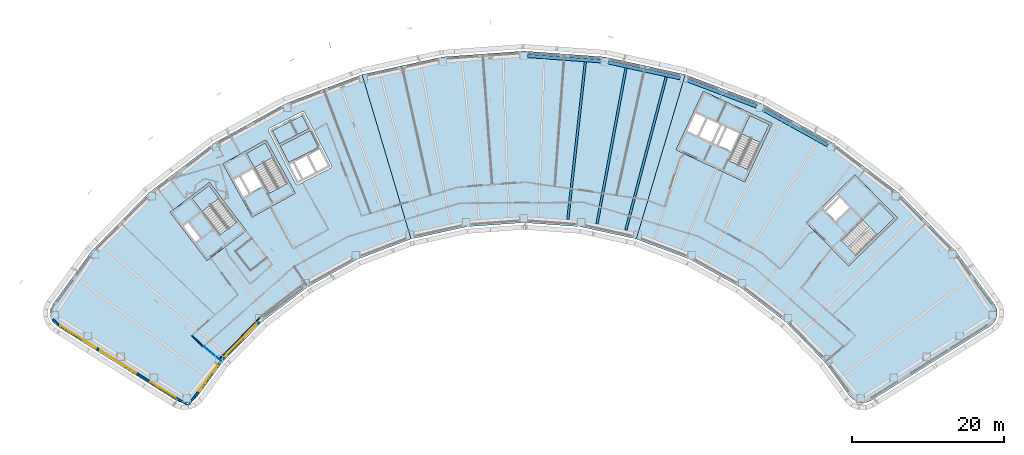
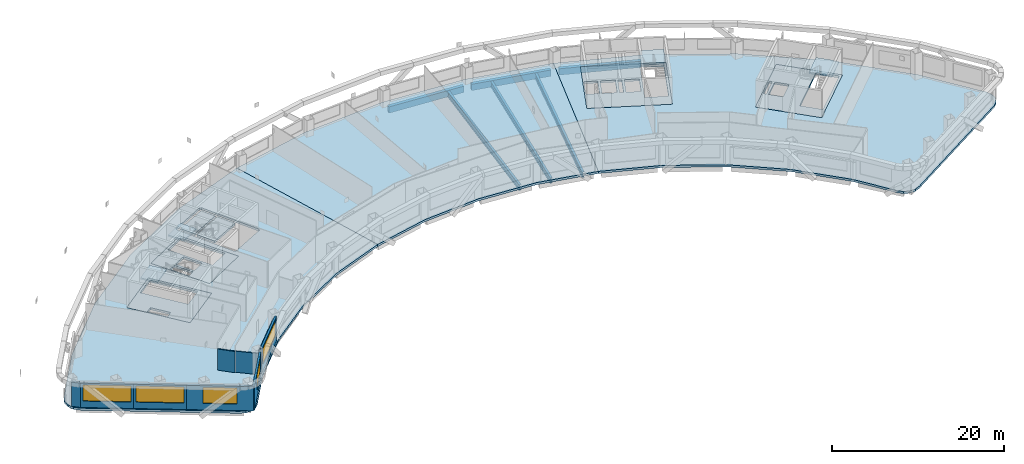
# One storey, part 2 of 19: 13 slabs, 9 walls, 7 beams, 5 windows, 5 openings, 4 elements without a shape of their own.
"""IFC4 building model written with IfcOpenShell, lengths in metres."""

from ifc_helpers import new_model, si_unit, direction, frame, frame_2d, origin, origin_2d, place, context, subcontext, project, spatial, polyline, rectangle, hollow_rectangle, i_section, outline, extrude, material, layer, layer_set, material_profile, profile_set, type_object, element, fill, aggregate, save


model = new_model("IFC4")

# Units and contexts
model_context = context("Model", 3, precision=1e-05, world=origin(), true_north=direction((0.0, 1.0)))
body_context = subcontext(model_context, "Body", "Model", "MODEL_VIEW")
ifc_project = project(units=[si_unit("LENGTHUNIT", "METRE"), si_unit("AREAUNIT", "SQUARE_METRE"), si_unit("VOLUMEUNIT", "CUBIC_METRE"), si_unit("PLANEANGLEUNIT", "RADIAN"), si_unit("MASSUNIT", "GRAM", prefix="KILO")], contexts=[model_context])

# Site, building, storey
site_placement = place(None, origin())
site = spatial("IfcSite", under=ifc_project, at=site_placement, CompositionType="ELEMENT")
building_placement = place(site_placement, origin())
building = spatial("IfcBuilding", under=site, at=building_placement, Name="Tuul Gate Civic Tower", CompositionType="ELEMENT")
storey_placement = place(building_placement, frame((0.0, 0.0, 163.39990234375)))
storey = spatial("IfcBuildingStorey", under=building, at=storey_placement, Name="Level 37", CompositionType="ELEMENT", Elevation=163.39990234375)

# Beams
ifc_material_1 = material(Name="Steel S355", Category="steel")
ifc_material_profile_1 = material_profile(ifc_material_1, i_section(OverallWidth=0.300048828125, OverallDepth=0.800048828125, WebThickness=0.013916015625, FlangeThickness=0.02490234375, at=origin_2d()), Name="PG800x300x14x25")
ifc_profile_set_1 = profile_set([ifc_material_profile_1], Name="Steel S355")
beam_type_1 = type_object("IfcBeamType", Name="STR-FLOOR BEAM-PG800x300x14x25", PredefinedType="BEAM", material=ifc_profile_set_1)
beam_1_placement = place(storey_placement, frame((18.8125, -13.7099609375, -0.699951171875), z_axis=(0.255004720301, 0.96693980817, 0.0), x_axis=(-0.96693980817, 0.255004720301, 0.0)))
element("IfcBeam", 1, at=beam_1_placement, inside=storey, type_object=beam_type_1, Name="Floor beam", PredefinedType="BEAM", context=body_context, shape_type="SweptSolid", body=[
    extrude(i_section(OverallWidth=0.300048828125, OverallDepth=0.800048828125, WebThickness=0.013916015625, FlangeThickness=0.02490234375, at=origin_2d()), origin(), (0.0, 0.0, 1.0), 20.817626953125),
])
beam_2_placement = place(storey_placement, frame((15.0224609375, -12.874755859375, -0.699951171875), z_axis=(0.183147342328, 0.98308547492, 0.0), x_axis=(-0.98308547492, 0.183147342328, 0.0)))
element("IfcBeam", 2, at=beam_2_placement, inside=storey, type_object=beam_type_1, Name="Floor beam", PredefinedType="BEAM", context=body_context, shape_type="SweptSolid", body=[
    extrude(i_section(OverallWidth=0.300048828125, OverallDepth=0.800048828125, WebThickness=0.013916015625, FlangeThickness=0.02490234375, at=origin_2d()), origin(), (0.0, 0.0, 1.0), 20.811279296875),
])
beam_3_placement = place(storey_placement, frame((11.185302734375, -12.294677734375, -0.699951171875), z_axis=(0.110287344613, 0.993899744249, 0.0), x_axis=(-0.993899744249, 0.110287344613, 0.0)))
element("IfcBeam", 3, at=beam_3_placement, inside=storey, type_object=beam_type_1, Name="Floor beam", PredefinedType="BEAM", context=body_context, shape_type="SweptSolid", body=[
    extrude(i_section(OverallWidth=0.300048828125, OverallDepth=0.800048828125, WebThickness=0.013916015625, FlangeThickness=0.02490234375, at=origin_2d()), origin(), (0.0, 0.0, 1.0), 20.815185546875),
])
ifc_material_2 = material(Name="Steel S355", Category="steel")
ifc_material_profile_2 = material_profile(ifc_material_2, hollow_rectangle(XDim=0.449951171875, YDim=0.89990234375, WallThickness=0.02490234375, at=origin_2d()), Name="BOX900x450x25")
ifc_profile_set_2 = profile_set([ifc_material_profile_2], Name="Steel S355")
beam_type_2 = type_object("IfcBeamType", Name="STR-SPANDREL BEAM-BOX900x450x25", PredefinedType="BEAM", material=ifc_profile_set_2)
beam_4_placement = place(storey_placement, frame((45.338623046875, -2.548583984375, -0.75), z_axis=(-0.874626955885, 0.484796542933, 0.0), x_axis=(-0.484796542933, -0.874626955885, 0.0)))
element("IfcBeam", 4, at=beam_4_placement, inside=storey, type_object=beam_type_2, Name="Spandrel beam", PredefinedType="BEAM", context=body_context, shape_type="SweptSolid", body=[
    extrude(hollow_rectangle(XDim=0.449951171875, YDim=0.89990234375, WallThickness=0.02490234375, at=origin_2d()), origin(), (0.0, 0.0, 1.0), 9.676513671875),
])
beam_5_placement = place(storey_placement, frame((35.97021484375, 2.561767578125, -0.75), z_axis=(-0.935339508416, 0.353751330735, 0.0), x_axis=(-0.353751330735, -0.935339508416, 0.0)))
element("IfcBeam", 5, at=beam_5_placement, inside=storey, type_object=beam_type_2, Name="Spandrel beam", PredefinedType="BEAM", context=body_context, shape_type="SweptSolid", body=[
    extrude(hollow_rectangle(XDim=0.449951171875, YDim=0.89990234375, WallThickness=0.02490234375, at=origin_2d()), origin(), (0.0, 0.0, 1.0), 9.67724609375),
])
beam_6_placement = place(storey_placement, frame((25.962646484375, 6.26953125, -0.75), z_axis=(-0.976569557508, 0.215201996619, 0.0), x_axis=(-0.215201996619, -0.976569557508, 0.0)))
element("IfcBeam", 6, at=beam_6_placement, inside=storey, type_object=beam_type_2, Name="Spandrel beam", PredefinedType="BEAM", context=body_context, shape_type="SweptSolid", body=[
    extrude(hollow_rectangle(XDim=0.449951171875, YDim=0.89990234375, WallThickness=0.02490234375, at=origin_2d()), origin(), (0.0, 0.0, 1.0), 9.67822265625),
])
beam_7_placement = place(storey_placement, frame((15.5244140625, 8.49609375, -0.75), z_axis=(-0.997382449667, 0.072306632453, 0.0), x_axis=(-0.072306632453, -0.997382449667, 0.0)))
element("IfcBeam", 7, at=beam_7_placement, inside=storey, type_object=beam_type_2, Name="Spandrel beam", PredefinedType="BEAM", context=body_context, shape_type="SweptSolid", body=[
    extrude(hollow_rectangle(XDim=0.449951171875, YDim=0.89990234375, WallThickness=0.02490234375, at=origin_2d()), origin(), (0.0, 0.0, 1.0), 9.677001953125),
])

# Slabs
ifc_material_3 = material(Name="Concrete C40/50", Category="concrete")
ifc_layer_1 = layer(ifc_material_3, 0.300048828125)
ifc_layer_set_1 = layer_set([ifc_layer_1], Name="Concrete C40/50")
slab_type_1 = type_object("IfcSlabType", Name="Core floor slab 300", PredefinedType="FLOOR", material=ifc_layer_set_1)
slab_1_placement = place(storey_placement, frame((0.0, 0.0, -0.2998046875)))
element("IfcSlab", 8, at=slab_1_placement, inside=storey, type_object=slab_type_1, Name="FLOOR SLAB", PredefinedType="FLOOR", context=body_context, shape_type="SweptSolid", body=[
    extrude(outline(polyline([(-31.10009765625, -13.7890625), (-35.946044921875, -7.423828125), (-41.11767578125, -11.361572265625), (-36.271484375, -17.726806640625), (-31.10009765625, -13.7890625)]), holes=[polyline([(-37.19287109375, -14.783203125), (-38.737548828125, -12.75439453125), (-39.45361328125, -13.299560546875), (-37.908935546875, -15.328369140625), (-37.19287109375, -14.783203125)]), polyline([(-32.33935546875, -12.65771484375), (-34.56591796875, -14.352783203125), (-38.229736328125, -9.54052734375), (-36.003173828125, -7.845458984375), (-32.33935546875, -12.65771484375)])]), origin(), (0.0, 0.0, 1.0), 0.2998046875),
])
slab_2_placement = place(storey_placement, frame((0.0, 0.0, -0.2998046875)))
element("IfcSlab", 9, at=slab_2_placement, inside=storey, type_object=slab_type_1, Name="FLOOR SLAB", PredefinedType="FLOOR", context=body_context, shape_type="SweptSolid", body=[
    extrude(outline(polyline([(-24.638916015625, -8.846923828125), (-28.51708984375, -1.849853515625), (-34.2021484375, -5.0009765625), (-30.32421875, -11.998046875), (-24.638916015625, -8.846923828125)]), holes=[polyline([(-29.0185546875, -7.958740234375), (-30.254638671875, -5.728515625), (-31.785400390625, -6.576904296875), (-30.54931640625, -8.80712890625), (-29.0185546875, -7.958740234375)]), polyline([(-30.8115234375, -8.95263671875), (-32.047607421875, -6.72216796875), (-32.8349609375, -7.158447265625), (-31.5986328125, -9.388916015625), (-30.8115234375, -8.95263671875)]), polyline([(-25.702392578125, -7.548828125), (-28.14990234375, -8.905517578125), (-31.08203125, -3.615234375), (-28.63427734375, -2.2587890625), (-25.702392578125, -7.548828125)])]), origin(), (0.0, 0.0, 1.0), 0.2998046875),
])
slab_3_placement = place(storey_placement, frame((0.0, 0.0, -0.2998046875)))
element("IfcSlab", 10, at=slab_3_placement, inside=storey, type_object=slab_type_1, Name="FLOOR SLAB", PredefinedType="FLOOR", context=body_context, shape_type="SweptSolid", body=[
    extrude(outline(polyline([(48.117919921875, -18.43310546875), (54.545166015625, -12.1328125), (48.945068359375, -6.419921875), (42.517822265625, -12.719970703125), (48.117919921875, -18.43310546875)]), holes=[polyline([(46.373779296875, -12.510986328125), (48.19482421875, -10.725830078125), (46.969970703125, -9.47607421875), (45.14892578125, -11.26123046875), (46.373779296875, -12.510986328125)]), polyline([(44.93896484375, -11.046875), (46.760009765625, -9.261962890625), (46.514892578125, -9.011962890625), (44.69384765625, -10.797119140625), (44.93896484375, -11.046875)]), polyline([(49.086181640625, -17.062744140625), (47.12744140625, -15.064208984375), (52.160888671875, -10.130126953125), (54.11962890625, -12.128662109375), (49.086181640625, -17.062744140625)])]), origin(), (0.0, 0.0, 1.0), 0.2998046875),
])
slab_4_placement = place(storey_placement, frame((0.0, 0.0, -0.2998046875)))
element("IfcSlab", 11, at=slab_4_placement, inside=storey, type_object=slab_type_1, Name="FLOOR SLAB", PredefinedType="FLOOR", context=body_context, shape_type="SweptSolid", body=[
    extrude(outline(polyline([(34.465087890625, -7.385986328125), (38.056884765625, 0.31787109375), (28.993896484375, 4.543701171875), (25.40185546875, -3.159912109375), (34.465087890625, -7.385986328125)]), holes=[polyline([(32.60888671875, -3.32080078125), (33.6865234375, -1.009765625), (32.1005859375, -0.27001953125), (31.02294921875, -2.581298828125), (32.60888671875, -3.32080078125)]), polyline([(30.0712890625, -2.137451171875), (31.14892578125, 0.173583984375), (29.562744140625, 0.9130859375), (28.4853515625, -1.39794921875), (30.0712890625, -2.137451171875)]), polyline([(30.751220703125, -2.454345703125), (31.82861328125, -0.143310546875), (31.4208984375, 0.046875), (30.34326171875, -2.264404296875), (30.751220703125, -2.454345703125)]), polyline([(28.21337890625, -1.27099609375), (29.291015625, 1.0400390625), (27.8408203125, 1.71630859375), (26.76318359375, -0.594970703125), (28.21337890625, -1.27099609375)]), polyline([(34.889892578125, -5.7626953125), (32.353759765625, -4.580078125), (35.120849609375, 1.354736328125), (37.6572265625, 0.17236328125), (34.889892578125, -5.7626953125)])]), origin(), (0.0, 0.0, 1.0), 0.2998046875),
])
ifc_material_4 = material(Name="Concrete C40/50", Category="concrete")
ifc_layer_2 = layer(ifc_material_4, 0.300048828125)
ifc_layer_set_2 = layer_set([ifc_layer_2], Name="Concrete C40/50")
slab_type_2 = type_object("IfcSlabType", Name="Core floor slab 300 non-bearing", PredefinedType="FLOOR", material=ifc_layer_set_2)
slab_5_placement = place(storey_placement, frame((0.0, 0.0, -0.2998046875)))
element("IfcSlab", 12, at=slab_5_placement, inside=storey, type_object=slab_type_2, Name="FLOOR SLAB", PredefinedType="FLOOR", context=body_context, shape_type="SweptSolid", body=[
    extrude(outline(polyline([(-27.66455078125, -0.63916015625), (-23.744140625, 1.3583984375), (-22.85888671875, -0.37890625), (-26.779296875, -2.37646484375), (-27.66455078125, -0.63916015625)])), origin(), (0.0, 0.0, 1.0), 0.2998046875),
])
slab_6_placement = place(storey_placement, frame((0.0, 0.0, -0.2998046875)))
element("IfcSlab", 13, at=slab_6_placement, inside=storey, type_object=slab_type_2, Name="FLOOR SLAB", PredefinedType="FLOOR", context=body_context, shape_type="SweptSolid", body=[
    extrude(outline(polyline([(-26.64306640625, -2.643798828125), (-22.72265625, -0.646240234375), (-21.6103515625, -2.8291015625), (-25.53076171875, -4.82666015625), (-26.64306640625, -2.643798828125)])), origin(), (0.0, 0.0, 1.0), 0.2998046875),
])

# Stair, slab
ifc_material_5 = material(Name="Concrete C40/50", Category="concrete")
stair_type = type_object("IfcStairType", Name="Exit stair", PredefinedType="HALF_TURN_STAIR", material=ifc_material_5)
stair_1_placement = place(storey_placement, origin())
stair_1 = element("IfcStair", 14, at=stair_1_placement, inside=storey, type_object=stair_type, Name="Level 37 ST-1", PredefinedType="HALF_TURN_STAIR")
ifc_material_6 = material(Name="Concrete C40/50", Category="concrete")
ifc_layer_3 = layer(ifc_material_6, 0.199951171875)
ifc_layer_set_3 = layer_set([ifc_layer_3], Name="Concrete C40/50")
slab_type_3 = type_object("IfcSlabType", Name="Exit stair landing", PredefinedType="LANDING", material=ifc_layer_set_3)
slab_7_placement = place(storey_placement, frame((0.0, 0.0, 1.900146484375)))
slab_7 = element("IfcSlab", 15, at=slab_7_placement, type_object=slab_type_3, Name="ST-1 landing 1", PredefinedType="LANDING", context=body_context, shape_type="SweptSolid", body=[
    extrude(outline(polyline([(-34.699462890625, -9.554931640625), (-36.9287109375, -11.252197265625), (-38.23193359375, -9.540283203125), (-36.0029296875, -7.843017578125), (-34.699462890625, -9.554931640625)])), origin(), (0.0, 0.0, 1.0), 0.199951171875),
])
aggregate(stair_1, [slab_7])

stair_2_placement = place(storey_placement, origin())
stair_2 = element("IfcStair", 16, at=stair_2_placement, inside=storey, type_object=stair_type, Name="Level 37 ST-2", PredefinedType="HALF_TURN_STAIR")
slab_8_placement = place(storey_placement, frame((0.0, 0.0, 1.900146484375)))
slab_8 = element("IfcSlab", 17, at=slab_8_placement, type_object=slab_type_3, Name="ST-2 landing 1", PredefinedType="LANDING", context=body_context, shape_type="SweptSolid", body=[
    extrude(outline(polyline([(-27.5908203125, -4.138427734375), (-30.041015625, -5.49658203125), (-31.084228515625, -3.61474609375), (-28.6337890625, -2.256591796875), (-27.5908203125, -4.138427734375)])), origin(), (0.0, 0.0, 1.0), 0.199951171875),
])
aggregate(stair_2, [slab_8])

stair_3_placement = place(storey_placement, origin())
stair_3 = element("IfcStair", 18, at=stair_3_placement, inside=storey, type_object=stair_type, Name="Level 37 ST-3", PredefinedType="HALF_TURN_STAIR")
slab_9_placement = place(storey_placement, frame((0.0, 0.0, 1.900146484375)))
slab_9 = element("IfcSlab", 19, at=slab_9_placement, type_object=slab_type_3, Name="ST-3 landing 1", PredefinedType="LANDING", context=body_context, shape_type="SweptSolid", body=[
    extrude(outline(polyline([(51.871337890625, -14.3349609375), (49.91015625, -12.334228515625), (52.160888671875, -10.1279296875), (54.1220703125, -12.128662109375), (51.871337890625, -14.3349609375)])), origin(), (0.0, 0.0, 1.0), 0.199951171875),
])
aggregate(stair_3, [slab_9])

stair_4_placement = place(storey_placement, origin())
stair_4 = element("IfcStair", 20, at=stair_4_placement, inside=storey, type_object=stair_type, Name="Level 37 ST-4", PredefinedType="HALF_TURN_STAIR")
slab_10_placement = place(storey_placement, frame((0.0, 0.0, 1.900146484375)))
slab_10 = element("IfcSlab", 21, at=slab_10_placement, type_object=slab_type_3, Name="ST-4 landing 1", PredefinedType="LANDING", context=body_context, shape_type="SweptSolid", body=[
    extrude(outline(polyline([(36.538818359375, -2.230224609375), (33.999755859375, -1.046142578125), (35.1201171875, 1.35693359375), (37.659423828125, 0.173095703125), (36.538818359375, -2.230224609375)])), origin(), (0.0, 0.0, 1.0), 0.199951171875),
])
aggregate(stair_4, [slab_10])

# Slabs
ifc_material_7 = material(Name="Concrete C35/45", Category="concrete")
ifc_layer_4 = layer(ifc_material_7, 0.300048828125)
ifc_layer_set_4 = layer_set([ifc_layer_4], Name="Concrete C35/45")
slab_type_4 = type_object("IfcSlabType", Name="STR-FLOOR-SLAB-300", PredefinedType="FLOOR", material=ifc_layer_set_4)
slab_11_placement = place(storey_placement, frame((0.0, 0.0, -0.2998046875)))
element("IfcSlab", 22, at=slab_11_placement, inside=storey, type_object=slab_type_4, Name="Level 37/slab/W", PredefinedType="FLOOR", context=body_context, shape_type="SweptSolid", body=[
    extrude(outline(polyline([(-16.4599609375, -17.5380859375), (-9.43994140625, -14.883056640625), (-15.8740234375, 6.739013671875), (-25.943115234375, 2.930908203125), (-35.35693359375, -2.287109375), (-43.922119140625, -8.80810546875), (-51.45703125, -16.4951171875), (-56.537109375, -23.451904296875), (-56.8740234375, -24.195068359375), (-56.885986328125, -25.010009765625), (-56.571044921875, -25.762939453125), (-55.98193359375, -26.326904296875), (-40.251953125, -36.156005859375), (-39.55810546875, -36.427001953125), (-38.81298828125, -36.424072265625), (-38.12109375, -36.14892578125), (-37.576904296875, -35.639892578125), (-34.248046875, -31.08203125), (-28.9951171875, -25.721923828125), (-23.02392578125, -21.176025390625), (-16.4599609375, -17.5380859375)]), holes=[polyline([(-31.10009765625, -13.7890625), (-36.27197265625, -17.72705078125), (-41.117919921875, -11.362060546875), (-35.946044921875, -7.424072265625), (-31.10009765625, -13.7890625)]), polyline([(-24.638916015625, -8.846923828125), (-30.323974609375, -11.998046875), (-34.201904296875, -5.0009765625), (-28.51708984375, -1.85009765625), (-24.638916015625, -8.846923828125)]), polyline([(-24.367919921875, -7.77001953125), (-24.570068359375, -7.7041015625), (-28.201904296875, -0.575927734375), (-28.135986328125, -0.3740234375), (-23.680908203125, 1.89599609375), (-23.47900390625, 1.830078125), (-19.846923828125, -5.298095703125), (-19.9130859375, -5.5), (-24.367919921875, -7.77001953125)])]), origin(), (0.0, 0.0, 1.0), 0.2998046875),
])
slab_12_placement = place(storey_placement, frame((0.0, 0.0, -0.2998046875)))
element("IfcSlab", 23, at=slab_12_placement, inside=storey, type_object=slab_type_4, Name="Level 37/slab/M", PredefinedType="FLOOR", context=body_context, shape_type="SweptSolid", body=[
    extrude(outline(polyline([(20.18798828125, -14.883056640625), (26.6220703125, 6.739013671875), (16.110107421875, 9.054931640625), (5.3740234375, 9.8330078125), (-5.362060546875, 9.054931640625), (-15.8740234375, 6.739013671875), (-9.43994140625, -14.883056640625), (-2.111083984375, -13.26806640625), (5.3740234375, -12.72607421875), (12.85888671875, -13.26806640625), (20.18798828125, -14.883056640625)])), origin(), (0.0, 0.0, 1.0), 0.2998046875),
])
slab_13_placement = place(storey_placement, frame((0.0, 0.0, -0.2998046875)))
element("IfcSlab", 24, at=slab_13_placement, inside=storey, type_object=slab_type_4, Name="Level 37/slab/E", PredefinedType="FLOOR", context=body_context, shape_type="SweptSolid", body=[
    extrude(outline(polyline([(50.305908203125, -36.427001953125), (51.0, -36.156005859375), (66.72998046875, -26.326904296875), (67.319091796875, -25.762939453125), (67.634033203125, -25.010009765625), (67.6220703125, -24.195068359375), (67.284912109375, -23.451904296875), (62.205078125, -16.4951171875), (54.669921875, -8.80810546875), (46.10498046875, -2.287109375), (36.69091796875, 2.930908203125), (26.6220703125, 6.739013671875), (20.18798828125, -14.883056640625), (27.2080078125, -17.5380859375), (33.77197265625, -21.176025390625), (39.742919921875, -25.721923828125), (44.99609375, -31.08203125), (48.324951171875, -35.639892578125), (48.868896484375, -36.14892578125), (49.56103515625, -36.424072265625), (50.305908203125, -36.427001953125)]), holes=[polyline([(48.117919921875, -18.43310546875), (42.51806640625, -12.719970703125), (48.945068359375, -6.419921875), (54.544921875, -12.133056640625), (48.117919921875, -18.43310546875)]), polyline([(25.402099609375, -3.159912109375), (28.993896484375, 4.5439453125), (38.056884765625, 0.318115234375), (34.465087890625, -7.385986328125), (25.402099609375, -3.159912109375)])]), origin(), (0.0, 0.0, 1.0), 0.2998046875),
])

# Walls
ifc_material_8 = material(Name="Gypsum board partition")
ifc_layer_5 = layer(ifc_material_8, 0.14990234375)
ifc_layer_set_5 = layer_set([ifc_layer_5], Name="Gypsum board partition")
wall_type_1 = type_object("IfcWallType", Name="Corridor wall P150 3000 HIGH", PredefinedType="PARTITIONING", material=ifc_layer_set_5)
wall_1_placement = place(storey_placement, frame((-38.264892578125, -27.57275390625, 0.0), z_axis=(0.0, 0.0, 1.0), x_axis=(0.71162637718, -0.702558110978, 0.0)))
element("IfcWall", 25, at=wall_1_placement, inside=storey, type_object=wall_type_1, Name="p051", PredefinedType="PARTITIONING", context=body_context, shape_type="SweptSolid", body=[
    extrude(rectangle(XDim=2.099853515625, YDim=0.14990234375, at=frame_2d((1.0498046875, 0.0))), origin(), (0.0, 0.0, 1.0), 3.0),
])
ifc_material_9 = material(Name="Precast concrete C40/50", Category="concrete")
ifc_layer_6 = layer(ifc_material_9, 0.25)
ifc_layer_set_6 = layer_set([ifc_layer_6], Name="Precast concrete C40/50")
wall_type_2 = type_object("IfcWallType", Name="External wall", PredefinedType="STANDARD", material=ifc_layer_set_6)
wall_2_placement = place(storey_placement, frame((-56.560546875, -25.39697265625, 0.0), z_axis=(0.0, 0.0, 1.0), x_axis=(0.722111514746, -0.691776669361, 0.0)))
element("IfcWall", 26, at=wall_2_placement, inside=storey, type_object=wall_type_2, Name="External wall", PredefinedType="STANDARD", context=body_context, shape_type="SweptSolid", body=[
    extrude(rectangle(XDim=1.0302734375, YDim=0.25, at=frame_2d((0.51513671875, 0.0))), origin(), (0.0, 0.0, 1.0), 3.4501953125),
])

# Wall, opening, window
wall_3_placement = place(storey_placement, frame((-55.836669921875, -26.093994140625, 0.0), z_axis=(0.0, 0.0, 1.0), x_axis=(0.848042669488, -0.529927948619, 0.0)))
wall_3 = element("IfcWall", 27, at=wall_3_placement, inside=storey, type_object=wall_type_2, Name="External wall", PredefinedType="STANDARD", context=body_context, shape_type="SweptSolid", body=[
    extrude(rectangle(XDim=6.1826171875, YDim=0.25, at=frame_2d((3.09130859375, 0.0))), origin(), (0.0, 0.0, 1.0), 3.4501953125),
])
opening_1_placement = place(wall_3_placement, frame((0.31640625, 0.0, 0.89990234375)))
opening_1 = element("IfcOpeningElement", 28, at=opening_1_placement, cuts=wall_3, Name="Opening W24", PredefinedType="OPENING", context=body_context, shape_type="SweptSolid", body=[
    extrude(rectangle(XDim=5.550048828125, YDim=2.300048828125, at=frame_2d((2.77490234375, 1.14990234375))), frame((0.0, 0.135009765625, 0.0), z_axis=(0.0, -1.0, 0.0), x_axis=(1.0, 0.0, 0.0)), (0.0, 0.0, 1.0), 0.27001953125),
])
ifc_material_10 = material(Name="Glass", Category="glass")
window_type_1 = type_object("IfcWindowType", Name="Window W24 5550 x 2300", PartitioningType="SINGLE_PANEL", PredefinedType="WINDOW", material=ifc_material_10)
window_1_placement = place(opening_1_placement, origin())
window_1 = element("IfcWindow", 29, at=window_1_placement, inside=storey, type_object=window_type_1, Name="Window", OverallHeight=2.300048828125, OverallWidth=5.550048828125, PartitioningType="SINGLE_PANEL", PredefinedType="WINDOW", context=body_context, shape_type="SweptSolid", body=[
    extrude(rectangle(XDim=5.550048828125, YDim=2.300048828125, at=frame_2d((2.77490234375, 1.14990234375))), frame((0.0, 0.030029296875, 0.0), z_axis=(0.0, -1.0, 0.0), x_axis=(1.0, 0.0, 0.0)), (0.0, 0.0, 1.0), 0.06005859375),
])
fill(opening_1, window_1)

wall_4_placement = place(storey_placement, frame((-50.593505859375, -29.370361328125, 0.0), z_axis=(0.0, 0.0, 1.0), x_axis=(0.848053758074, -0.529910203164, 0.0)))
wall_4 = element("IfcWall", 30, at=wall_4_placement, inside=storey, type_object=wall_type_2, Name="External wall", PredefinedType="STANDARD", context=body_context, shape_type="SweptSolid", body=[
    extrude(rectangle(XDim=6.182861328125, YDim=0.25, at=frame_2d((3.09130859375, 0.0))), origin(), (0.0, 0.0, 1.0), 3.4501953125),
])
opening_2_placement = place(wall_4_placement, frame((0.31640625, 0.0, 0.89990234375)))
opening_2 = element("IfcOpeningElement", 31, at=opening_2_placement, cuts=wall_4, Name="Opening W24", PredefinedType="OPENING", context=body_context, shape_type="SweptSolid", body=[
    extrude(rectangle(XDim=5.550048828125, YDim=2.300048828125, at=frame_2d((2.77490234375, 1.14990234375))), frame((0.0, 0.135009765625, 0.0), z_axis=(0.0, -1.0, 0.0), x_axis=(1.0, 0.0, 0.0)), (0.0, 0.0, 1.0), 0.27001953125),
])
window_2_placement = place(opening_2_placement, origin())
window_2 = element("IfcWindow", 32, at=window_2_placement, inside=storey, type_object=window_type_1, Name="Window", OverallHeight=2.300048828125, OverallWidth=5.550048828125, PartitioningType="SINGLE_PANEL", PredefinedType="WINDOW", context=body_context, shape_type="SweptSolid", body=[
    extrude(rectangle(XDim=5.550048828125, YDim=2.300048828125, at=frame_2d((2.77490234375, 1.14990234375))), frame((0.0, 0.030029296875, 0.0), z_axis=(0.0, -1.0, 0.0), x_axis=(1.0, 0.0, 0.0)), (0.0, 0.0, 1.0), 0.06005859375),
])
fill(opening_2, window_2)

wall_5_placement = place(storey_placement, frame((-45.35009765625, -32.646728515625, 0.0), z_axis=(0.0, 0.0, 1.0), x_axis=(0.848051131154, -0.529914407191, 0.0)))
wall_5 = element("IfcWall", 33, at=wall_5_placement, inside=storey, type_object=wall_type_2, Name="External wall", PredefinedType="STANDARD", context=body_context, shape_type="SweptSolid", body=[
    extrude(rectangle(XDim=7.788330078125, YDim=0.25, at=frame_2d((3.89404296875, 0.0))), origin(), (0.0, 0.0, 1.0), 3.4501953125),
])
opening_3_placement = place(wall_5_placement, frame((1.89697265625, 0.0, 0.89990234375)))
opening_3 = element("IfcOpeningElement", 34, at=opening_3_placement, cuts=wall_5, Name="Opening W113", PredefinedType="OPENING", context=body_context, shape_type="SweptSolid", body=[
    extrude(rectangle(XDim=3.949951171875, YDim=2.300048828125, at=frame_2d((1.97509765625, 1.14990234375))), frame((0.0, 0.135009765625, 0.0), z_axis=(0.0, -1.0, 0.0), x_axis=(1.0, 0.0, 0.0)), (0.0, 0.0, 1.0), 0.27001953125),
])
ifc_material_11 = material(Name="Glass", Category="glass")
window_type_2 = type_object("IfcWindowType", Name="Window W113 3950 x 2300", PartitioningType="SINGLE_PANEL", PredefinedType="WINDOW", material=ifc_material_11)
window_3_placement = place(opening_3_placement, origin())
window_3 = element("IfcWindow", 35, at=window_3_placement, inside=storey, type_object=window_type_2, Name="Window", OverallHeight=2.300048828125, OverallWidth=3.949951171875, PartitioningType="SINGLE_PANEL", PredefinedType="WINDOW", context=body_context, shape_type="SweptSolid", body=[
    extrude(rectangle(XDim=3.949951171875, YDim=2.300048828125, at=frame_2d((1.97509765625, 1.14990234375))), frame((0.0, 0.030029296875, 0.0), z_axis=(0.0, -1.0, 0.0), x_axis=(1.0, 0.0, 0.0)), (0.0, 0.0, 1.0), 0.06005859375),
])
fill(opening_3, window_3)

wall_6_placement = place(storey_placement, frame((-38.7451171875, -36.77392578125, 0.0), z_axis=(0.0, 0.0, 1.0), x_axis=(0.589748164831, 0.8075872102, 0.0)))
wall_6 = element("IfcWall", 36, at=wall_6_placement, inside=storey, type_object=wall_type_2, Name="External wall", PredefinedType="STANDARD", context=body_context, shape_type="SweptSolid", body=[
    extrude(rectangle(XDim=6.910400390625, YDim=0.25, at=frame_2d((3.455078125, 0.0))), origin(), (0.0, 0.0, 1.0), 3.4501953125),
])
opening_4_placement = place(wall_6_placement, frame((2.356689453125, 0.0, 0.89990234375)))
opening_4 = element("IfcOpeningElement", 37, at=opening_4_placement, cuts=wall_6, Name="Opening W25", PredefinedType="OPENING", context=body_context, shape_type="SweptSolid", body=[
    extrude(rectangle(XDim=4.14990234375, YDim=2.300048828125, at=frame_2d((2.074951171875, 1.14990234375))), frame((0.0, 0.135009765625, 0.0), z_axis=(0.0, -1.0, 0.0), x_axis=(1.0, 0.0, 0.0)), (0.0, 0.0, 1.0), 0.27001953125),
])
ifc_material_12 = material(Name="Glass", Category="glass")
window_type_3 = type_object("IfcWindowType", Name="Window W25 4150 x 2300", PartitioningType="SINGLE_PANEL", PredefinedType="WINDOW", material=ifc_material_12)
window_4_placement = place(opening_4_placement, origin())
window_4 = element("IfcWindow", 38, at=window_4_placement, inside=storey, type_object=window_type_3, Name="Window", OverallHeight=2.300048828125, OverallWidth=4.14990234375, PartitioningType="SINGLE_PANEL", PredefinedType="WINDOW", context=body_context, shape_type="SweptSolid", body=[
    extrude(rectangle(XDim=4.14990234375, YDim=2.300048828125, at=frame_2d((2.074951171875, 1.14990234375))), frame((0.0, 0.030029296875, 0.0), z_axis=(0.0, -1.0, 0.0), x_axis=(1.0, 0.0, 0.0)), (0.0, 0.0, 1.0), 0.06005859375),
])
fill(opening_4, window_4)

wall_7_placement = place(storey_placement, frame((-34.20703125, -30.647216796875, 0.0), z_axis=(0.0, 0.0, 1.0), x_axis=(0.700046388208, 0.714097370361, 0.0)))
wall_7 = element("IfcWall", 39, at=wall_7_placement, inside=storey, type_object=wall_type_2, Name="External wall", PredefinedType="STANDARD", context=body_context, shape_type="SweptSolid", body=[
    extrude(rectangle(XDim=6.82861328125, YDim=0.25, at=frame_2d((3.414306640625, 0.0))), origin(), (0.0, 0.0, 1.0), 3.4501953125),
])
opening_5_placement = place(wall_7_placement, frame((0.4130859375, 0.0, 0.89990234375)))
opening_5 = element("IfcOpeningElement", 40, at=opening_5_placement, cuts=wall_7, Name="Opening W26", PredefinedType="OPENING", context=body_context, shape_type="SweptSolid", body=[
    extrude(rectangle(XDim=6.0, YDim=2.300048828125, at=frame_2d((3.0, 1.14990234375))), frame((0.0, 0.135009765625, 0.0), z_axis=(0.0, -1.0, 0.0), x_axis=(1.0, 0.0, 0.0)), (0.0, 0.0, 1.0), 0.27001953125),
])
ifc_material_13 = material(Name="Glass", Category="glass")
window_type_4 = type_object("IfcWindowType", Name="Window W26 6000 x 2300", PartitioningType="SINGLE_PANEL", PredefinedType="WINDOW", material=ifc_material_13)
window_5_placement = place(opening_5_placement, origin())
window_5 = element("IfcWindow", 41, at=window_5_placement, inside=storey, type_object=window_type_4, Name="Window", OverallHeight=2.300048828125, OverallWidth=6.0, PartitioningType="SINGLE_PANEL", PredefinedType="WINDOW", context=body_context, shape_type="SweptSolid", body=[
    extrude(rectangle(XDim=6.0, YDim=2.300048828125, at=frame_2d((3.0, 1.14990234375))), frame((0.0, 0.030029296875, 0.0), z_axis=(0.0, -1.0, 0.0), x_axis=(1.0, 0.0, 0.0)), (0.0, 0.0, 1.0), 0.06005859375),
])
fill(opening_5, window_5)

# Walls
ifc_material_14 = material(Name="Gypsum board partition")
ifc_layer_7 = layer(ifc_material_14, 0.10009765625)
ifc_layer_set_7 = layer_set([ifc_layer_7], Name="Gypsum board partition")
wall_type_3 = type_object("IfcWallType", Name="Partition P100 2900 HIGH", PredefinedType="PARTITIONING", material=ifc_layer_set_7)
wall_8_placement = place(storey_placement, frame((-29.392578125, -25.271728515625, 0.0), z_axis=(0.0, 0.0, 1.0), x_axis=(-0.700012568476, -0.714130523066, 0.0)))
element("IfcWall", 42, at=wall_8_placement, inside=storey, type_object=wall_type_3, Name="p069", PredefinedType="PARTITIONING", context=body_context, shape_type="SweptSolid", body=[
    extrude(rectangle(XDim=7.591552734375, YDim=0.10009765625, at=frame_2d((3.7958984375, 0.0))), origin(), (0.0, 0.0, 1.0), 2.900146484375),
])
ifc_material_15 = material(Name="Gypsum board partition")
ifc_layer_8 = layer(ifc_material_15, 0.10009765625)
ifc_layer_set_8 = layer_set([ifc_layer_8], Name="Gypsum board partition")
wall_type_4 = type_object("IfcWallType", Name="Partition P100 3000 HIGH", PredefinedType="PARTITIONING", material=ifc_layer_set_8)
wall_9_placement = place(storey_placement, frame((-36.71044921875, -28.994873046875, 0.0), z_axis=(0.0, 0.0, 1.0), x_axis=(0.762834862431, -0.646593359585, 0.0)))
element("IfcWall", 43, at=wall_9_placement, inside=storey, type_object=wall_type_4, Name="p050", PredefinedType="PARTITIONING", context=body_context, shape_type="SweptSolid", body=[
    extrude(rectangle(XDim=2.957275390625, YDim=0.10009765625, at=frame_2d((1.478515625, 0.0))), origin(), (0.0, 0.0, 1.0), 3.0),
])

save(model, "model.ifc")
